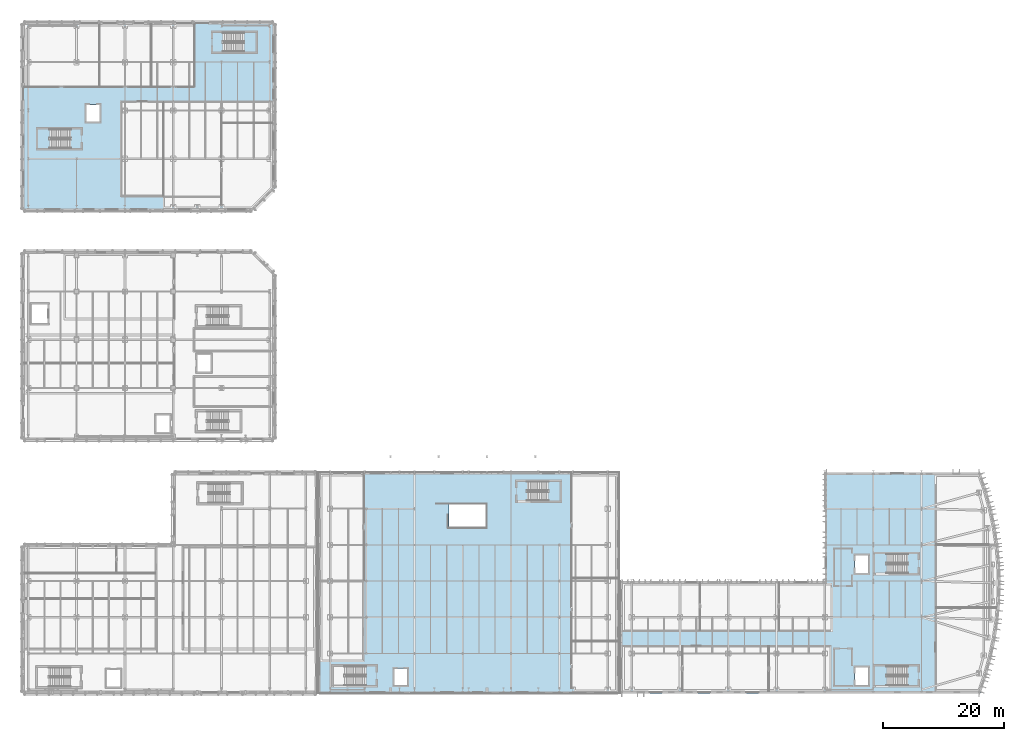
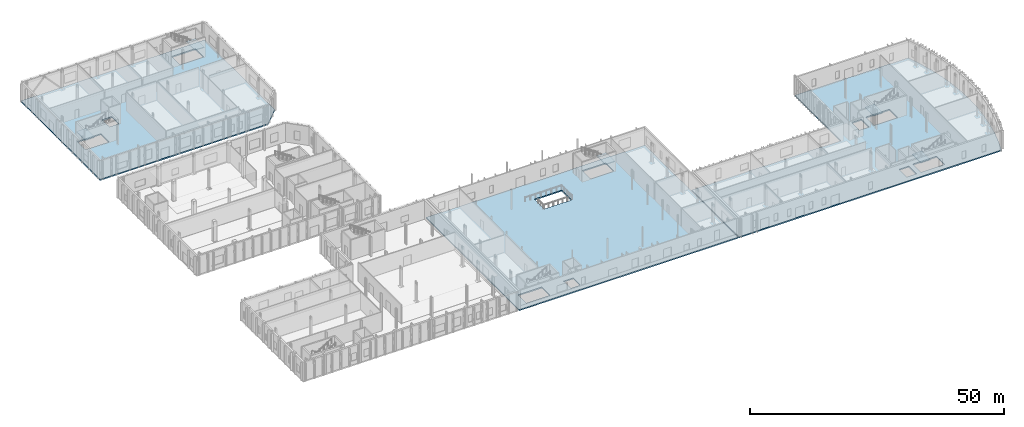
# One storey, part 15 of 60: 8 slabs, 5 elements without a shape of their own.
"""IFC4 building model written with IfcOpenShell, lengths in metres."""

from ifc_helpers import new_model, si_unit, direction, frame, origin, place, context, subcontext, project, spatial, polyline, outline, extrude, material, layer, layer_set, type_object, element, aggregate, save


model = new_model("IFC4")

# Units and contexts
model_context = context("Model", 3, precision=1e-05, world=origin(), true_north=direction((0.0, 1.0)))
body_context = subcontext(model_context, "Body", "Model", "MODEL_VIEW")
ifc_project = project(units=[si_unit("LENGTHUNIT", "METRE"), si_unit("AREAUNIT", "SQUARE_METRE"), si_unit("VOLUMEUNIT", "CUBIC_METRE"), si_unit("PLANEANGLEUNIT", "RADIAN"), si_unit("MASSUNIT", "GRAM", prefix="KILO")], contexts=[model_context])

# Site, building, storey
site_placement = place(None, origin())
site = spatial("IfcSite", under=ifc_project, at=site_placement, CompositionType="ELEMENT")
building_placement = place(site_placement, origin())
building = spatial("IfcBuilding", under=site, at=building_placement, Name="Cymarion Research Institute", CompositionType="ELEMENT")
storey_placement = place(building_placement, origin())
storey = spatial("IfcBuildingStorey", under=building, at=storey_placement, Name="L00", CompositionType="ELEMENT", Elevation=0.0)

# Slabs
ifc_material = material(Name="Concrete C35/45", Category="concrete")
ifc_layer_1 = layer(ifc_material, 0.300048828125)
ifc_layer_set_1 = layer_set([ifc_layer_1], Name="Concrete C35/45")
slab_type_1 = type_object("IfcSlabType", Name="COMPOSITE FLOOR SLAB SL-FL300 300MM", PredefinedType="FLOOR", material=ifc_layer_set_1)
slab_1_placement = place(storey_placement, frame((0.0, 0.0, -0.300048828125)))
element("IfcSlab", 1, at=slab_1_placement, inside=storey, type_object=slab_type_1, Name="L00 V1 floor slab", PredefinedType="FLOOR", context=body_context, shape_type="SweptSolid", body=[
    extrude(outline(polyline([(104.699951171875, 4.89990234375), (164.39990234375, 4.89990234375), (165.40869140625, 7.848388671875), (166.2392578125, 10.85205078125), (166.88818359375, 13.900146484375), (167.353271484375, 16.9814453125), (167.633056640625, 20.085205078125), (167.7265625, 23.199951171875), (167.633056640625, 26.31494140625), (167.353271484375, 29.418701171875), (166.88818359375, 32.5), (166.2392578125, 35.5478515625), (165.40869140625, 38.551513671875), (164.39990234375, 41.5), (138.60009765625, 41.5), (138.60009765625, 23.5), (104.699951171875, 23.5), (104.699951171875, 4.89990234375)]), holes=[polyline([(152.260009765625, 9.39990234375), (146.89990234375, 9.39990234375), (146.89990234375, 6.199951171875), (152.260009765625, 6.199951171875), (152.260009765625, 9.39990234375)]), polyline([(143.60009765625, 6.199951171875), (145.800048828125, 6.199951171875), (145.800048828125, 9.199951171875), (143.60009765625, 9.199951171875), (143.60009765625, 6.199951171875)]), polyline([(152.260009765625, 28.0), (146.89990234375, 28.0), (146.89990234375, 24.800048828125), (152.260009765625, 24.800048828125), (152.260009765625, 28.0)]), polyline([(143.60009765625, 24.800048828125), (145.800048828125, 24.800048828125), (145.800048828125, 27.800048828125), (143.60009765625, 27.800048828125), (143.60009765625, 24.800048828125)])]), origin(), (0.0, 0.0, 1.0), 0.300048828125),
])
slab_2_placement = place(storey_placement, frame((0.0, 0.0, -0.300048828125)))
element("IfcSlab", 2, at=slab_2_placement, inside=storey, type_object=slab_type_1, Name="L00 V2 floor slab", PredefinedType="FLOOR", context=body_context, shape_type="SweptSolid", body=[
    extrude(outline(polyline([(54.699951171875, 4.89990234375), (104.5, 4.89990234375), (104.5, 41.5), (54.699951171875, 41.5), (54.699951171875, 4.89990234375)]), holes=[polyline([(62.4599609375, 9.39990234375), (57.10009765625, 9.39990234375), (57.10009765625, 6.199951171875), (62.4599609375, 6.199951171875), (62.4599609375, 9.39990234375)]), polyline([(67.199951171875, 6.199951171875), (69.39990234375, 6.199951171875), (69.39990234375, 9.0), (67.199951171875, 9.0), (67.199951171875, 6.199951171875)]), polyline([(89.340087890625, 36.800048828125), (94.699951171875, 36.800048828125), (94.699951171875, 40.0), (89.340087890625, 40.0), (89.340087890625, 36.800048828125)]), polyline([(76.2900390625, 32.35009765625), (82.5, 32.35009765625), (82.5, 36.25), (76.2900390625, 36.25), (76.2900390625, 32.35009765625)])]), origin(), (0.0, 0.0, 1.0), 0.300048828125),
])
slab_3_placement = place(storey_placement, frame((0.0, 0.0, -0.300048828125)))
element("IfcSlab", 3, at=slab_3_placement, inside=storey, type_object=slab_type_1, Name="L00 V5 floor slab", PredefinedType="FLOOR", context=body_context, shape_type="SweptSolid", body=[
    extrude(outline(polyline([(5.60009765625, 84.89990234375), (43.800048828125, 84.89990234375), (47.39990234375, 88.5), (47.39990234375, 116.10009765625), (5.60009765625, 116.10009765625), (5.60009765625, 84.89990234375)]), holes=[polyline([(13.56005859375, 98.39990234375), (8.199951171875, 98.39990234375), (8.199951171875, 95.199951171875), (13.56005859375, 95.199951171875), (13.56005859375, 98.39990234375)]), polyline([(16.199951171875, 99.60009765625), (18.39990234375, 99.60009765625), (18.39990234375, 102.39990234375), (16.199951171875, 102.39990234375), (16.199951171875, 99.60009765625)]), polyline([(38.93994140625, 111.199951171875), (44.300048828125, 111.199951171875), (44.300048828125, 114.39990234375), (38.93994140625, 114.39990234375), (38.93994140625, 111.199951171875)])]), origin(), (0.0, 0.0, 1.0), 0.300048828125),
])

# Stair, slab
stair_type = type_object("IfcStairType", Name="REINFORCED CONCRETE DOGLEG STAIR STR-4800", PredefinedType="HALF_TURN_STAIR", material=ifc_material)
stair_1_placement = place(storey_placement, origin())
stair_1 = element("IfcStair", 4, at=stair_1_placement, inside=storey, type_object=stair_type, Name="L00 Core C1 Smoke-Proof Exit Stair ST1", PredefinedType="HALF_TURN_STAIR")
ifc_layer_2 = layer(ifc_material, 0.199951171875)
ifc_layer_set_2 = layer_set([ifc_layer_2], Name="Concrete C35/45")
slab_type_2 = type_object("IfcSlabType", Name="REINFORCED CONCRETE STAIR LANDING LDG200", PredefinedType="LANDING", material=ifc_layer_set_2)
slab_4_placement = place(storey_placement, frame((0.0, 0.0, 2.199951171875)))
slab_4 = element("IfcSlab", 5, at=slab_4_placement, type_object=slab_type_2, Name="ST1 landing 1", PredefinedType="LANDING", context=body_context, shape_type="SweptSolid", body=[
    extrude(outline(polyline([(148.919921875, 9.52001953125), (148.919921875, 6.080078125), (146.780029296875, 6.080078125), (146.780029296875, 9.52001953125), (148.919921875, 9.52001953125)])), origin(), (0.0, 0.0, 1.0), 0.199951171875),
])
aggregate(stair_1, [slab_4])

stair_2_placement = place(storey_placement, origin())
stair_2 = element("IfcStair", 6, at=stair_2_placement, inside=storey, type_object=stair_type, Name="L00 Core C2 Smoke-Proof Exit Stair ST2", PredefinedType="HALF_TURN_STAIR")
slab_5_placement = place(storey_placement, frame((0.0, 0.0, 2.199951171875)))
slab_5 = element("IfcSlab", 7, at=slab_5_placement, type_object=slab_type_2, Name="ST2 landing 1", PredefinedType="LANDING", context=body_context, shape_type="SweptSolid", body=[
    extrude(outline(polyline([(148.919921875, 28.1201171875), (148.919921875, 24.679931640625), (146.780029296875, 24.679931640625), (146.780029296875, 28.1201171875), (148.919921875, 28.1201171875)])), origin(), (0.0, 0.0, 1.0), 0.199951171875),
])
aggregate(stair_2, [slab_5])

stair_3_placement = place(storey_placement, origin())
stair_3 = element("IfcStair", 8, at=stair_3_placement, inside=storey, type_object=stair_type, Name="L00 Core C4 Smoke-Proof Exit Stair ST4", PredefinedType="HALF_TURN_STAIR")
slab_6_placement = place(storey_placement, frame((0.0, 0.0, 2.199951171875)))
slab_6 = element("IfcSlab", 9, at=slab_6_placement, type_object=slab_type_2, Name="ST4 landing 1", PredefinedType="LANDING", context=body_context, shape_type="SweptSolid", body=[
    extrude(outline(polyline([(92.679931640625, 36.679931640625), (92.679931640625, 40.1201171875), (94.820068359375, 40.1201171875), (94.820068359375, 36.679931640625), (92.679931640625, 36.679931640625)])), origin(), (0.0, 0.0, 1.0), 0.199951171875),
])
aggregate(stair_3, [slab_6])

stair_4_placement = place(storey_placement, origin())
stair_4 = element("IfcStair", 10, at=stair_4_placement, inside=storey, type_object=stair_type, Name="L00 Core C9 Smoke-Proof Exit Stair ST9", PredefinedType="HALF_TURN_STAIR")
slab_7_placement = place(storey_placement, frame((0.0, 0.0, 2.199951171875)))
slab_7 = element("IfcSlab", 11, at=slab_7_placement, type_object=slab_type_2, Name="ST9 landing 1", PredefinedType="LANDING", context=body_context, shape_type="SweptSolid", body=[
    extrude(outline(polyline([(10.219970703125, 98.52001953125), (10.219970703125, 95.080078125), (8.080078125, 95.080078125), (8.080078125, 98.52001953125), (10.219970703125, 98.52001953125)])), origin(), (0.0, 0.0, 1.0), 0.199951171875),
])
aggregate(stair_4, [slab_7])

stair_5_placement = place(storey_placement, origin())
stair_5 = element("IfcStair", 12, at=stair_5_placement, inside=storey, type_object=stair_type, Name="L00 Core C10 Smoke-Proof Exit Stair ST10", PredefinedType="HALF_TURN_STAIR")
slab_8_placement = place(storey_placement, frame((0.0, 0.0, 2.199951171875)))
slab_8 = element("IfcSlab", 13, at=slab_8_placement, type_object=slab_type_2, Name="ST10 landing 1", PredefinedType="LANDING", context=body_context, shape_type="SweptSolid", body=[
    extrude(outline(polyline([(42.280029296875, 111.080078125), (42.280029296875, 114.52001953125), (44.419921875, 114.52001953125), (44.419921875, 111.080078125), (42.280029296875, 111.080078125)])), origin(), (0.0, 0.0, 1.0), 0.199951171875),
])
aggregate(stair_5, [slab_8])

save(model, "model.ifc")
